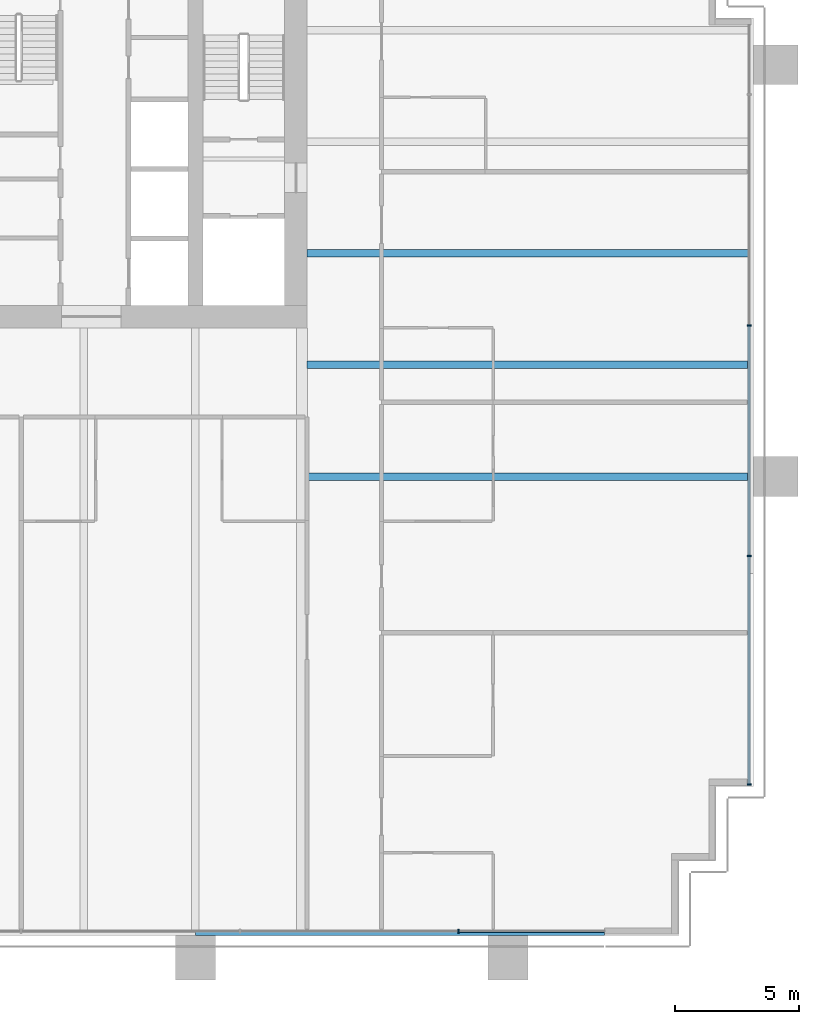
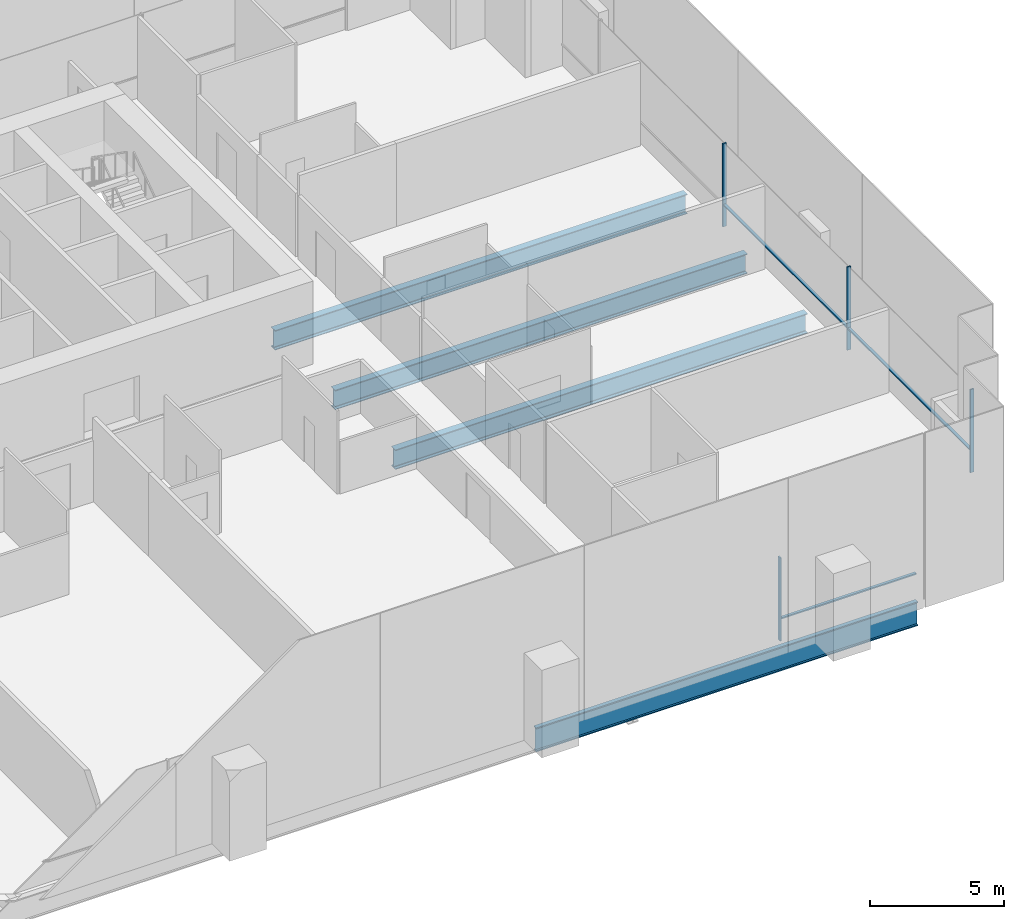
# One storey, part 6 of 19: 7 members, 4 beams, 2 elements without a shape of their own.
"""IFC4 building model written with IfcOpenShell, lengths in metres."""

from ifc_helpers import new_model, si_unit, direction, frame, origin, origin_2d, place, context, subcontext, project, spatial, rectangle, i_section, extrude, material, material_profile, profile_set, type_object, element, aggregate, save


model = new_model("IFC4")

# Units and contexts
model_context = context("Model", 3, precision=1e-05, world=origin(), true_north=direction((0.0, 1.0)))
body_context = subcontext(model_context, "Body", "Model", "MODEL_VIEW")
ifc_project = project(units=[si_unit("LENGTHUNIT", "METRE"), si_unit("AREAUNIT", "SQUARE_METRE"), si_unit("VOLUMEUNIT", "CUBIC_METRE"), si_unit("PLANEANGLEUNIT", "RADIAN"), si_unit("MASSUNIT", "GRAM", prefix="KILO")], contexts=[model_context])

# Site, building, storey
site_placement = place(None, origin())
site = spatial("IfcSite", under=ifc_project, at=site_placement, CompositionType="ELEMENT")
building_placement = place(site_placement, origin())
building = spatial("IfcBuilding", under=site, at=building_placement, Name="Rattan Terrace Tower", CompositionType="ELEMENT")
storey_placement = place(building_placement, frame((0.0, 0.0, 103.699951171875)))
storey = spatial("IfcBuildingStorey", under=building, at=storey_placement, Name="L23", CompositionType="ELEMENT", Elevation=103.699951171875)

# Curtain wall, members
ifc_material_1 = material(Name="Aluminium and glass", Category="aluminium")
curtain_wall_type = type_object("IfcCurtainWallType", Name="Facade Unitised Curtain Wall", PredefinedType="NOTDEFINED", material=ifc_material_1)
curtain_wall_1_placement = place(storey_placement, origin())
curtain_wall_1 = element("IfcCurtainWall", 1, at=curtain_wall_1_placement, inside=storey, type_object=curtain_wall_type, Name="Curtain wall L23-1", PredefinedType="NOTDEFINED")
ifc_material_2 = material(Name="Aluminium", Category="aluminium")
ifc_material_profile_1 = material_profile(ifc_material_2, rectangle(XDim=0.06005859375, YDim=0.159912109375, at=origin_2d()), Name="Aluminium 60x160")
ifc_profile_set_1 = profile_set([ifc_material_profile_1], Name="Aluminium")
member_type_1 = type_object("IfcMemberType", Name="Facade CW Mullion 60x160", PredefinedType="MULLION", material=ifc_profile_set_1)
member_1_placement = place(storey_placement, frame((35.830078125, -25.925048828125, 0.0), z_axis=(0.0, 0.0, 1.0), x_axis=(0.0, 1.0, 0.0)))
member_1 = element("IfcMember", 2, at=member_1_placement, type_object=member_type_1, Name="Mullion cwl-L23-001.1", PredefinedType="MULLION", context=body_context, shape_type="SweptSolid", body=[
    extrude(rectangle(XDim=0.06005859375, YDim=0.159912109375, at=origin_2d()), origin(), (0.0, 0.0, 1.0), 3.800048828125),
])
member_2_placement = place(storey_placement, frame((35.830078125, -16.699951171875, 0.0), z_axis=(0.0, 0.0, 1.0), x_axis=(0.0, 1.0, 0.0)))
member_2 = element("IfcMember", 3, at=member_2_placement, type_object=member_type_1, Name="Mullion cwl-L23-001.2", PredefinedType="MULLION", context=body_context, shape_type="SweptSolid", body=[
    extrude(rectangle(XDim=0.06005859375, YDim=0.159912109375, at=origin_2d()), origin(), (0.0, 0.0, 1.0), 3.800048828125),
])
member_3_placement = place(storey_placement, frame((35.830078125, -7.39990234375, 0.0), z_axis=(0.0, 0.0, 1.0), x_axis=(0.0, 1.0, 0.0)))
member_3 = element("IfcMember", 4, at=member_3_placement, type_object=member_type_1, Name="Mullion cwl-L23-001.3", PredefinedType="MULLION", context=body_context, shape_type="SweptSolid", body=[
    extrude(rectangle(XDim=0.06005859375, YDim=0.159912109375, at=origin_2d()), origin(), (0.0, 0.0, 1.0), 3.800048828125),
])

# Curtain wall, member
curtain_wall_2_placement = place(storey_placement, origin())
curtain_wall_2 = element("IfcCurtainWall", 5, at=curtain_wall_2_placement, inside=storey, type_object=curtain_wall_type, Name="Curtain wall L23-4", PredefinedType="NOTDEFINED")
member_4_placement = place(storey_placement, frame((24.114990234375, -31.830078125, 0.0), z_axis=(0.0, 0.0, 1.0), x_axis=(1.0, 0.0, 0.0)))
member_4 = element("IfcMember", 6, at=member_4_placement, type_object=member_type_1, Name="Mullion cwl-L23-004.6", PredefinedType="MULLION", context=body_context, shape_type="SweptSolid", body=[
    extrude(rectangle(XDim=0.06005859375, YDim=0.159912109375, at=origin_2d()), origin(), (0.0, 0.0, 1.0), 3.800048828125),
])

# Member
ifc_material_3 = material(Name="Aluminium", Category="aluminium")
ifc_material_profile_2 = material_profile(ifc_material_3, rectangle(XDim=0.1201171875, YDim=0.06005859375, at=origin_2d()), Name="Aluminium 120x60")
ifc_profile_set_2 = profile_set([ifc_material_profile_2], Name="Aluminium")
member_type_2 = type_object("IfcMemberType", Name="Facade CW Transom 120x60", PredefinedType="USERDEFINED", material=ifc_profile_set_2)
member_5_placement = place(storey_placement, frame((35.830078125, -25.89501953125, 1.0), z_axis=(0.0, 1.0, 0.0), x_axis=(-1.0, 0.0, 0.0)))
member_5 = element("IfcMember", 7, at=member_5_placement, type_object=member_type_2, Name="Transom cwl-L23-001.1", ObjectType="TRANSOM", PredefinedType="USERDEFINED", context=body_context, shape_type="SweptSolid", body=[
    extrude(rectangle(XDim=0.1201171875, YDim=0.06005859375, at=origin_2d()), origin(), (0.0, 0.0, 1.0), 9.1650390625),
])

member_6_placement = place(storey_placement, frame((35.830078125, -16.669921875, 1.0), z_axis=(0.0, 1.0, 0.0), x_axis=(-1.0, 0.0, 0.0)))
member_6 = element("IfcMember", 8, at=member_6_placement, type_object=member_type_2, Name="Transom cwl-L23-001.2", ObjectType="TRANSOM", PredefinedType="USERDEFINED", context=body_context, shape_type="SweptSolid", body=[
    extrude(rectangle(XDim=0.1201171875, YDim=0.06005859375, at=origin_2d()), origin(), (0.0, 0.0, 1.0), 9.239990234375),
])

aggregate(curtain_wall_1, [member_1, member_2, member_3, member_5, member_6])

member_7_placement = place(storey_placement, frame((24.14501953125, -31.830078125, 1.0), z_axis=(1.0, 0.0, 0.0), x_axis=(0.0, 1.0, 0.0)))
member_7 = element("IfcMember", 9, at=member_7_placement, type_object=member_type_2, Name="Transom cwl-L23-004.6", ObjectType="TRANSOM", PredefinedType="USERDEFINED", context=body_context, shape_type="SweptSolid", body=[
    extrude(rectangle(XDim=0.1201171875, YDim=0.06005859375, at=origin_2d()), origin(), (0.0, 0.0, 1.0), 5.85498046875),
])

aggregate(curtain_wall_2, [member_4, member_7])

# Beams
ifc_material_4 = material(Name="Steel S460", Category="steel")
ifc_material_profile_3 = material_profile(ifc_material_4, i_section(OverallWidth=0.179931640625, OverallDepth=1.10009765625, WebThickness=0.01611328125, FlangeThickness=0.050048828125, at=origin_2d()), Name="PG 1100x180-16-50")
ifc_profile_set_3 = profile_set([ifc_material_profile_3], Name="Steel S460")
beam_type_1 = type_object("IfcBeamType", Name="Frame edge girder PG 1100x180-16-50", PredefinedType="SPANDREL", material=ifc_profile_set_3)
beam_placement = place(storey_placement, frame((30.0, -31.909912109375, -0.75), z_axis=(-1.0, 0.0, 0.0), x_axis=(0.0, -1.0, 0.0)))
element("IfcBeam", 10, at=beam_placement, inside=storey, type_object=beam_type_1, Name="gdr-L23-003", PredefinedType="SPANDREL", context=body_context, shape_type="SweptSolid", body=[
    extrude(i_section(OverallWidth=0.179931640625, OverallDepth=1.10009765625, WebThickness=0.01611328125, FlangeThickness=0.050048828125, at=origin_2d()), origin(), (0.0, 0.0, 1.0), 16.5),
])
ifc_material_5 = material(Name="Steel S355", Category="steel")
ifc_material_profile_4 = material_profile(ifc_material_5, i_section(OverallWidth=0.300048828125, OverallDepth=0.89990234375, WebThickness=0.0185546875, FlangeThickness=0.034912109375, FilletRadius=0.030029296875, at=origin_2d()), Name="HE 900 B")
ifc_profile_set_4 = profile_set([ifc_material_profile_4], Name="Steel S355")
beam_type_2 = type_object("IfcBeamType", Name="Frame floor beam HE 900 B", PredefinedType="JOIST", material=ifc_profile_set_4)
for number, where, z_axis, x_axis, name in (
    (11, (18.0, -13.5, -0.64990234375), (1.0, 0.0, 0.0), (0.0, 1.0, 0.0), "bm-L23-010"),
    (12, (18.0, -9.0, -0.64990234375), (1.0, 0.0, 0.0), (0.0, 1.0, 0.0), "bm-L23-011"),
    (13, (18.0, -4.5, -0.64990234375), (1.0, 0.0, 0.0), (0.0, 1.0, 0.0), "bm-L23-013"),
):
    element("IfcBeam", number, at=place(storey_placement, frame(where, z_axis=z_axis, x_axis=x_axis)), inside=storey, type_object=beam_type_2, Name=name, PredefinedType="JOIST", context=body_context, shape_type="SweptSolid", body=[
        extrude(i_section(OverallWidth=0.300048828125, OverallDepth=0.89990234375, WebThickness=0.0185546875, FlangeThickness=0.034912109375, FilletRadius=0.030029296875, at=origin_2d()), origin(), (0.0, 0.0, 1.0), 17.820068359375),
    ])

save(model, "model.ifc")
